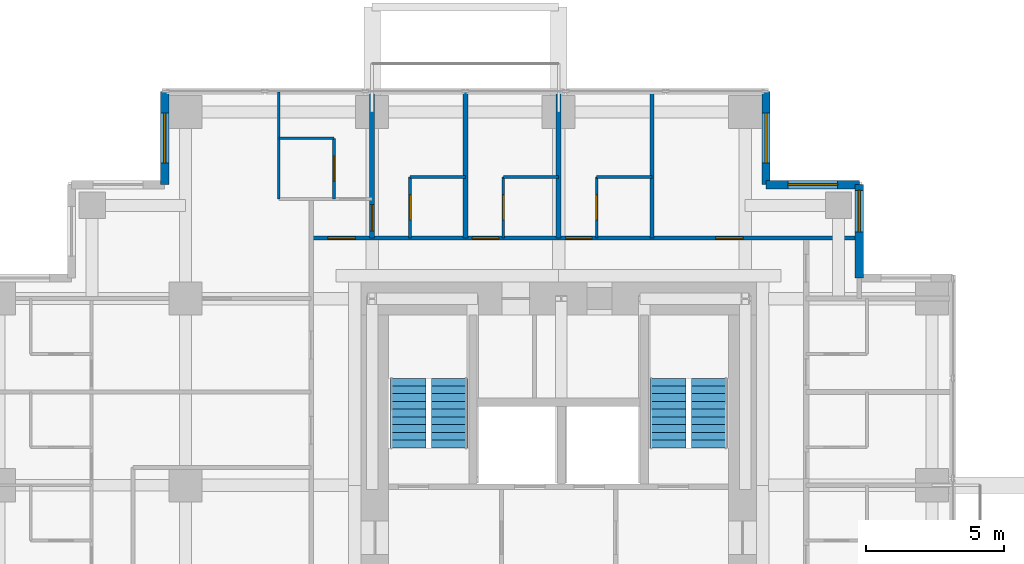
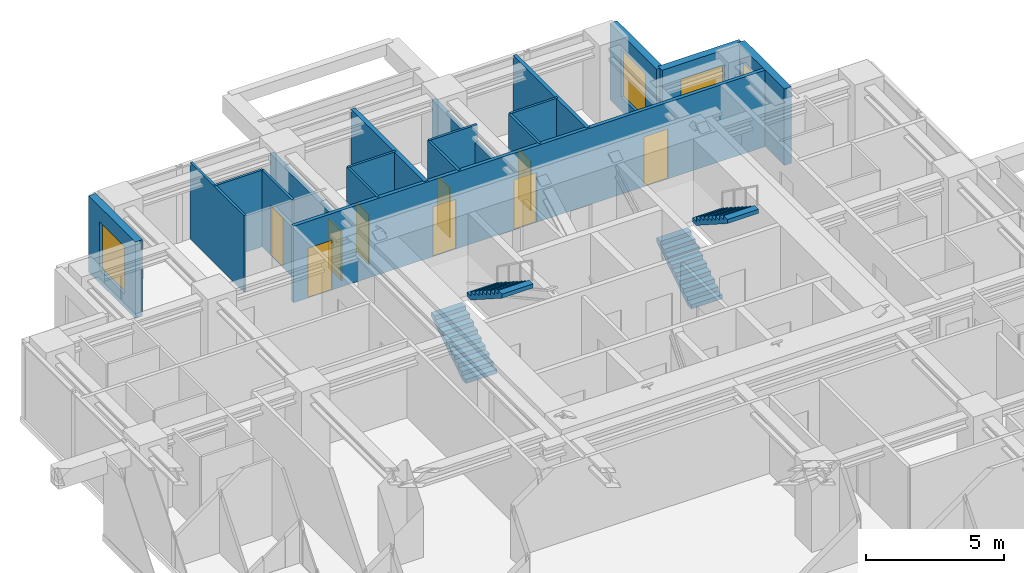
# One storey, part 9 of 10: 18 walls, 9 doors, 4 stair flights, 4 windows, 13 openings, 2 elements without a shape of their own.
"""IFC4 building model written with IfcOpenShell, lengths in metres."""

import ifcopenshell
import ifcopenshell.guid

model = None  # the IFC model being written
_history = None  # IfcOwnerHistory: only IFC2X3 demands one
_inside = {}  # id of a spatial element -> (the spatial element, [elements in it])
_under = {}  # id of a project, library or spatial element -> (it, [spatial elements below it])
_declared = {}  # id of a project -> (the project, [libraries it declares])
_typed = {}  # id of a type object -> (the type object, [elements of that type])
_made_of = {}  # id of a material, layer set ... -> (it, [elements and type objects made of it])


def new_model(schema):
    """Start an empty IFC model of exactly this schema.

    Asked for "IFC4X3", IfcOpenShell would pick the latest addendum, in which some entities
    have other attributes; the version numbers below select the first issue.
    IFC2X3 requires an IfcOwnerHistory on every rooted entity: one is made here for all.
    """
    global model, _history
    if schema == "IFC4X3":
        model = ifcopenshell.file(schema_version=(4, 3, 0, 0))
    else:
        model = ifcopenshell.file(schema=schema)
    _inside.clear()
    _under.clear()
    _declared.clear()
    _typed.clear()
    _made_of.clear()
    _history = None
    if model.schema == "IFC2X3":
        org = make("IfcOrganization", Name="unknown")
        user = make(
            "IfcPersonAndOrganization",
            ThePerson=make("IfcPerson", FamilyName="unknown"),
            TheOrganization=org,
        )
        app = make(
            "IfcApplication",
            ApplicationDeveloper=org,
            Version="unknown",
            ApplicationFullName="unknown",
            ApplicationIdentifier="unknown",
        )
        _history = make(
            "IfcOwnerHistory",
            OwningUser=user,
            OwningApplication=app,
            ChangeAction="ADDED",
            CreationDate=0,
        )
    return model


def make(cls, **values):
    """One entity of the class cls with the attributes given. An attribute that is None is left unset."""
    return model.create_entity(
        cls, **{name: value for name, value in values.items() if value is not None}
    )


def rooted(cls, **values):
    """An entity with a GlobalId (a new one), such as an element, a storey or a relation."""
    return make(cls, GlobalId=ifcopenshell.guid.new(), OwnerHistory=_history, **values)


def si_unit(unit_type, name, prefix=None):
    """IfcSIUnit, for example si_unit("LENGTHUNIT", "METRE", prefix="MILLI")."""
    return make("IfcSIUnit", UnitType=unit_type, Prefix=prefix, Name=name)


def assignment(units):
    """IfcUnitAssignment: the units of a project."""
    return None if units is None else make("IfcUnitAssignment", Units=units)


def point(xyz):
    """IfcCartesianPoint."""
    return None if xyz is None else make("IfcCartesianPoint", Coordinates=xyz)


def direction(xyz):
    """IfcDirection."""
    return None if xyz is None else make("IfcDirection", DirectionRatios=xyz)


def frame(location, z_axis=None, x_axis=None):
    """IfcAxis2Placement3D, a coordinate frame: its origin and axes. An axis left out is left unset."""
    return make(
        "IfcAxis2Placement3D",
        Location=point(location),
        Axis=direction(z_axis),
        RefDirection=direction(x_axis),
    )


def frame_2d(location, x_axis=None):
    """IfcAxis2Placement2D, a coordinate frame in the plane: its origin and x axis."""
    return make(
        "IfcAxis2Placement2D", Location=point(location), RefDirection=direction(x_axis)
    )


def origin():
    """The frame at (0, 0, 0) with its axes left unset."""
    return frame((0.0, 0.0, 0.0))


def place(relative_to, where):
    """IfcLocalPlacement: puts the frame where relative to a parent placement (None: the world)."""
    return make(
        "IfcLocalPlacement", PlacementRelTo=relative_to, RelativePlacement=where
    )


def context(
    kind, dimensions, precision=None, world=None, true_north=None, identifier=None
):
    """IfcGeometricRepresentationContext, for example the 3D "Model" context."""
    return make(
        "IfcGeometricRepresentationContext",
        ContextIdentifier=identifier,
        ContextType=kind,
        CoordinateSpaceDimension=dimensions,
        Precision=precision,
        WorldCoordinateSystem=world,
        TrueNorth=true_north,
    )


def subcontext(parent, identifier, kind, view, scale=None):
    """IfcGeometricRepresentationSubContext, for example "Body" below "Model"."""
    return make(
        "IfcGeometricRepresentationSubContext",
        ContextIdentifier=identifier,
        ContextType=kind,
        ParentContext=parent,
        TargetScale=scale,
        TargetView=view,
    )


def project(units=None, contexts=None):
    """IfcProject with its units and contexts."""
    return rooted(
        "IfcProject",
        Name="project",
        RepresentationContexts=contexts,
        UnitsInContext=assignment(units),
    )


def spatial(cls, under=None, at=None, **own):
    """A site, building, storey or space (cls), placed at a placement, below another one or the project."""
    s = rooted(cls, ObjectPlacement=at, **own)
    if under is not None:
        _under.setdefault(under.id(), (under, []))[1].append(s)
    return s


def polyline(points):
    """IfcPolyline through the points."""
    return make("IfcPolyline", Points=[point(p) for p in points])


def profile(cls, at=None, kind="AREA", **sizes):
    """A parametric profile (cls). Its sizes go by their IFC names, for example OverallWidth=200.0."""
    return make(cls, ProfileType=kind, Position=at, **sizes)


def rectangle(**sizes):
    """IfcRectangleProfileDef."""
    return profile("IfcRectangleProfileDef", **sizes)


def outline(outer, holes=None, kind="AREA"):
    """IfcArbitraryClosedProfileDef: a profile drawn as a closed curve; with holes, ...WithVoids."""
    if holes is None:
        return make("IfcArbitraryClosedProfileDef", ProfileType=kind, OuterCurve=outer)
    return make(
        "IfcArbitraryProfileDefWithVoids",
        ProfileType=kind,
        OuterCurve=outer,
        InnerCurves=holes,
    )


def extrude(swept, where, along, depth):
    """IfcExtrudedAreaSolid: the profile swept, set in the frame where, extruded along a direction by depth."""
    return make(
        "IfcExtrudedAreaSolid",
        SweptArea=swept,
        Position=where,
        ExtrudedDirection=direction(along),
        Depth=depth,
    )


def shape(context_of_items, identifier, shape_type, items):
    """IfcShapeRepresentation: the items that make up one representation, for example the "Body"."""
    return make(
        "IfcShapeRepresentation",
        ContextOfItems=context_of_items,
        RepresentationIdentifier=identifier,
        RepresentationType=shape_type,
        Items=items,
    )


def material(Name=None, Category=None):
    """IfcMaterial."""
    return make("IfcMaterial", Name=Name, Category=Category)


def layer(
    of_material, thickness, ventilated=None, Name=None, Category=None, Priority=None
):
    """IfcMaterialLayer: one layer of a wall or slab, of a material (None: an air gap)."""
    return make(
        "IfcMaterialLayer",
        Material=of_material,
        LayerThickness=thickness,
        IsVentilated=ventilated,
        Name=Name,
        Category=Category,
        Priority=Priority,
    )


def layer_set(layers, Name=None):
    """IfcMaterialLayerSet."""
    return make("IfcMaterialLayerSet", MaterialLayers=layers, LayerSetName=Name)


def made_of(thing, what):
    """Note that an element or type object is made of a material, layer set ...; save() writes the relation."""
    if what is not None:
        _made_of.setdefault(what.id(), (what, []))[1].append(thing)
    return thing


def type_object(cls, material=None, **own):
    """A type object (cls), such as IfcWallType, which elements share."""
    return made_of(rooted(cls, **own), material)


def element(
    cls,
    number,
    at=None,
    inside=None,
    cuts=None,
    type_object=None,
    material=None,
    context=None,
    identifier="Body",
    shape_type=None,
    held_by="IfcProductDefinitionShape",
    body=None,
    shapes=None,
    **own,
):
    """One element of the class cls, such as IfcWall. Its Tag is "e" and its number.

    at: its placement. inside: the storey or other place that contains it. cuts: it is an
    opening in that element (IfcRelVoidsElement). A single representation is given by context,
    identifier, shape_type and body (its items); several are given by shapes. held_by: the class
    of the entity that holds the representations. save() writes the other relations.
    """
    e = rooted(cls, Tag="e%d" % number, ObjectPlacement=at, **own)
    if body is not None:
        shapes = [shape(context, identifier, shape_type, body)]
    if shapes is not None:
        e.Representation = make(held_by, Representations=shapes)
    if inside is not None:
        _inside.setdefault(inside.id(), (inside, []))[1].append(e)
    if cuts is not None:
        rooted(
            "IfcRelVoidsElement", RelatingBuildingElement=cuts, RelatedOpeningElement=e
        )
    if type_object is not None:
        _typed.setdefault(type_object.id(), (type_object, []))[1].append(e)
    return made_of(e, material)


def fill(opening, filler):
    """IfcRelFillsElement: the door or window that sits in an opening."""
    return rooted(
        "IfcRelFillsElement",
        RelatingOpeningElement=opening,
        RelatedBuildingElement=filler,
    )


def aggregate(whole, parts):
    """IfcRelAggregates: a whole, such as a stair, and the parts it consists of."""
    return rooted("IfcRelAggregates", RelatingObject=whole, RelatedObjects=parts)


def save(model, path):
    """Write the relations noted so far, then the file.

    IfcRelAggregates (storeys below a building ...), IfcRelContainedInSpatialStructure (elements
    in a storey), IfcRelDefinesByType, IfcRelAssociatesMaterial and IfcRelDeclares: one each for
    every whole, place, type object, material and project.
    """
    for whole, parts in _under.values():
        aggregate(whole, parts)
    for where, things in _inside.values():
        rooted(
            "IfcRelContainedInSpatialStructure",
            RelatedElements=things,
            RelatingStructure=where,
        )
    for kind, things in _typed.values():
        rooted("IfcRelDefinesByType", RelatedObjects=things, RelatingType=kind)
    for what, things in _made_of.values():
        rooted("IfcRelAssociatesMaterial", RelatedObjects=things, RelatingMaterial=what)
    for by, libraries in _declared.values():
        rooted("IfcRelDeclares", RelatingContext=by, RelatedDefinitions=libraries)
    model.write(path)


model = new_model("IFC4")

# Units and contexts
model_context = context("Model", 3, precision=1e-05, world=origin(), true_north=direction((0.0, 1.0)))
body_context = subcontext(model_context, "Body", "Model", "MODEL_VIEW")
ifc_project = project(units=[si_unit("LENGTHUNIT", "METRE"), si_unit("AREAUNIT", "SQUARE_METRE"), si_unit("VOLUMEUNIT", "CUBIC_METRE"), si_unit("PLANEANGLEUNIT", "RADIAN"), si_unit("MASSUNIT", "GRAM", prefix="KILO")], contexts=[model_context])

# Site, building, storey
site_placement = place(None, origin())
site = spatial("IfcSite", under=ifc_project, at=site_placement, CompositionType="ELEMENT")
building_placement = place(site_placement, origin())
building = spatial("IfcBuilding", under=site, at=building_placement, Name="Nyansa Garden Tower", CompositionType="ELEMENT")
storey_placement = place(building_placement, frame((0.0, 0.0, 181.800048828125)))
storey = spatial("IfcBuildingStorey", under=building, at=storey_placement, Name="L49", CompositionType="ELEMENT", Elevation=181.800048828125)

# Wall, opening, door
ifc_material_1 = material(Name="Dense blockwork, plastered both sides, 55 dB", Category="masonry")
ifc_layer_1 = layer(ifc_material_1, 0.175048828125)
ifc_layer_set_1 = layer_set([ifc_layer_1], Name="Acoustic party wall PW175")
wall_type_1 = type_object("IfcWallType", Name="Acoustic party wall PW175", PredefinedType="PARTITIONING", material=ifc_layer_set_1)
wall_1_placement = place(storey_placement, frame((13.5, 29.199951171875, 0.0), z_axis=(0.0, 0.0, 1.0), x_axis=(0.0, 1.0, 0.0)))
wall_1 = element("IfcWall", 1, at=wall_1_placement, inside=storey, type_object=wall_type_1, Name="Party wall", PredefinedType="PARTITIONING", context=body_context, shape_type="SweptSolid", body=[
    extrude(rectangle(XDim=5.283935546875, YDim=0.175048828125, at=frame_2d((2.64208984375, 0.0))), origin(), (0.0, 0.0, 1.0), 2.60986328125),
])
opening_1_placement = place(wall_1_placement, frame((0.25, 0.0, 0.0)))
opening_1 = element("IfcOpeningElement", 2, at=opening_1_placement, cuts=wall_1, Name="Opening D14", PredefinedType="OPENING", context=body_context, shape_type="SweptSolid", body=[
    extrude(rectangle(XDim=0.949951171875, YDim=2.199951171875, at=frame_2d((0.47509765625, 1.10009765625))), frame((0.0, 0.097412109375, 0.0), z_axis=(0.0, -1.0, 0.0), x_axis=(1.0, 0.0, 0.0)), (0.0, 0.0, 1.0), 0.195068359375),
])
ifc_material_2 = material(Name="Timber flush door, 60 minute fire resisting, self-closing", Category="wood")
door_type_1 = type_object("IfcDoorType", Name="Studio entrance door D14 950x2200", OperationType="SINGLE_SWING_LEFT", PredefinedType="DOOR", material=ifc_material_2)
door_1_placement = place(opening_1_placement, origin())
door_1 = element("IfcDoor", 3, at=door_1_placement, inside=storey, type_object=door_type_1, Name="Door L49-042", OperationType="SINGLE_SWING_LEFT", OverallHeight=2.199951171875, OverallWidth=0.949951171875, PredefinedType="DOOR", context=body_context, shape_type="SweptSolid", body=[
    extrude(rectangle(XDim=0.949951171875, YDim=2.199951171875, at=frame_2d((0.47509765625, 1.10009765625))), frame((0.0, 0.02490234375, 0.0), z_axis=(0.0, -1.0, 0.0), x_axis=(1.0, 0.0, 0.0)), (0.0, 0.0, 1.0), 0.050048828125),
])
fill(opening_1, door_1)

# Walls
wall_2_placement = place(storey_placement, frame((16.875, 29.199951171875, 0.0), z_axis=(0.0, 0.0, 1.0), x_axis=(0.0, 1.0, 0.0)))
element("IfcWall", 4, at=wall_2_placement, inside=storey, type_object=wall_type_1, Name="Party wall", PredefinedType="PARTITIONING", context=body_context, shape_type="SweptSolid", body=[
    extrude(rectangle(XDim=5.283935546875, YDim=0.175048828125, at=frame_2d((2.64208984375, 0.0))), origin(), (0.0, 0.0, 1.0), 3.375),
])
wall_3_placement = place(storey_placement, frame((20.25, 29.199951171875, 0.0), z_axis=(0.0, 0.0, 1.0), x_axis=(0.0, 1.0, 0.0)))
element("IfcWall", 5, at=wall_3_placement, inside=storey, type_object=wall_type_1, Name="Party wall", PredefinedType="PARTITIONING", context=body_context, shape_type="SweptSolid", body=[
    extrude(rectangle(XDim=5.283935546875, YDim=0.175048828125, at=frame_2d((2.64208984375, 0.0))), origin(), (0.0, 0.0, 1.0), 2.60986328125),
])

# Wall, openings, doors
ifc_material_3 = material(Name="Blockwork, plastered both sides", Category="masonry")
ifc_layer_2 = layer(ifc_material_3, 0.14990234375)
ifc_layer_set_2 = layer_set([ifc_layer_2], Name="Partition PW150")
wall_type_2 = type_object("IfcWallType", Name="Partition PW150", PredefinedType="PARTITIONING", material=ifc_layer_set_2)
wall_4_placement = place(storey_placement, frame((11.300048828125, 29.199951171875, 0.0), z_axis=(0.0, 0.0, 1.0), x_axis=(1.0, 0.0, 0.0)))
wall_4 = element("IfcWall", 6, at=wall_4_placement, inside=storey, type_object=wall_type_2, Name="Partition", PredefinedType="PARTITIONING", context=body_context, shape_type="SweptSolid", body=[
    extrude(rectangle(XDim=19.808837890625, YDim=0.14990234375, at=frame_2d((9.904296875, 0.0))), origin(), (0.0, 0.0, 1.0), 3.375),
])
opening_2_placement = place(wall_4_placement, frame((14.625, 0.0, 0.0)))
opening_2 = element("IfcOpeningElement", 7, at=opening_2_placement, cuts=wall_4, Name="Opening D03", PredefinedType="OPENING", context=body_context, shape_type="SweptSolid", body=[
    extrude(rectangle(XDim=1.0, YDim=2.199951171875, at=frame_2d((0.5, 1.10009765625))), frame((0.0, 0.0849609375, 0.0), z_axis=(0.0, -1.0, 0.0), x_axis=(1.0, 0.0, 0.0)), (0.0, 0.0, 1.0), 0.169921875),
])
opening_3_placement = place(wall_4_placement, frame((5.824951171875, 0.0, 0.0)))
opening_3 = element("IfcOpeningElement", 8, at=opening_3_placement, cuts=wall_4, Name="Opening D14", PredefinedType="OPENING", context=body_context, shape_type="SweptSolid", body=[
    extrude(rectangle(XDim=0.949951171875, YDim=2.199951171875, at=frame_2d((0.47509765625, 1.10009765625))), frame((0.0, 0.0849609375, 0.0), z_axis=(0.0, -1.0, 0.0), x_axis=(1.0, 0.0, 0.0)), (0.0, 0.0, 1.0), 0.169921875),
])
opening_4_placement = place(wall_4_placement, frame((9.199951171875, 0.0, 0.0)))
opening_4 = element("IfcOpeningElement", 9, at=opening_4_placement, cuts=wall_4, Name="Opening D14", PredefinedType="OPENING", context=body_context, shape_type="SweptSolid", body=[
    extrude(rectangle(XDim=0.949951171875, YDim=2.199951171875, at=frame_2d((0.47509765625, 1.10009765625))), frame((0.0, 0.0849609375, 0.0), z_axis=(0.0, -1.0, 0.0), x_axis=(1.0, 0.0, 0.0)), (0.0, 0.0, 1.0), 0.169921875),
])
opening_5_placement = place(wall_4_placement, frame((0.60009765625, 0.0, 0.0)))
opening_5 = element("IfcOpeningElement", 10, at=opening_5_placement, cuts=wall_4, Name="Opening D03", PredefinedType="OPENING", context=body_context, shape_type="SweptSolid", body=[
    extrude(rectangle(XDim=1.0, YDim=2.199951171875, at=frame_2d((0.5, 1.10009765625))), frame((0.0, 0.0849609375, 0.0), z_axis=(0.0, -1.0, 0.0), x_axis=(1.0, 0.0, 0.0)), (0.0, 0.0, 1.0), 0.169921875),
])
ifc_material_4 = material(Name="Timber flush door, 60 minute fire resisting", Category="wood")
door_type_2 = type_object("IfcDoorType", Name="Cluster entrance door D03 1000x2200", OperationType="SINGLE_SWING_LEFT", PredefinedType="DOOR", material=ifc_material_4)
door_2_placement = place(opening_2_placement, origin())
door_2 = element("IfcDoor", 11, at=door_2_placement, inside=storey, type_object=door_type_2, Name="Door L49-039", OperationType="SINGLE_SWING_LEFT", OverallHeight=2.199951171875, OverallWidth=1.0, PredefinedType="DOOR", context=body_context, shape_type="SweptSolid", body=[
    extrude(rectangle(XDim=1.0, YDim=2.199951171875, at=frame_2d((0.5, 1.10009765625))), frame((0.0, 0.02490234375, 0.0), z_axis=(0.0, -1.0, 0.0), x_axis=(1.0, 0.0, 0.0)), (0.0, 0.0, 1.0), 0.050048828125),
])
fill(opening_2, door_2)
door_3_placement = place(opening_5_placement, origin())
door_3 = element("IfcDoor", 12, at=door_3_placement, inside=storey, type_object=door_type_2, Name="Door L49-048", OperationType="SINGLE_SWING_LEFT", OverallHeight=2.199951171875, OverallWidth=1.0, PredefinedType="DOOR", context=body_context, shape_type="SweptSolid", body=[
    extrude(rectangle(XDim=1.0, YDim=2.199951171875, at=frame_2d((0.5, 1.10009765625))), frame((0.0, 0.02490234375, 0.0), z_axis=(0.0, -1.0, 0.0), x_axis=(1.0, 0.0, 0.0)), (0.0, 0.0, 1.0), 0.050048828125),
])
fill(opening_5, door_3)
door_4_placement = place(opening_3_placement, origin())
door_4 = element("IfcDoor", 13, at=door_4_placement, inside=storey, type_object=door_type_1, Name="Door L49-044", OperationType="SINGLE_SWING_LEFT", OverallHeight=2.199951171875, OverallWidth=0.949951171875, PredefinedType="DOOR", context=body_context, shape_type="SweptSolid", body=[
    extrude(rectangle(XDim=0.949951171875, YDim=2.199951171875, at=frame_2d((0.47509765625, 1.10009765625))), frame((0.0, 0.02490234375, 0.0), z_axis=(0.0, -1.0, 0.0), x_axis=(1.0, 0.0, 0.0)), (0.0, 0.0, 1.0), 0.050048828125),
])
fill(opening_3, door_4)
door_5_placement = place(opening_4_placement, origin())
door_5 = element("IfcDoor", 14, at=door_5_placement, inside=storey, type_object=door_type_1, Name="Door L49-046", OperationType="SINGLE_SWING_LEFT", OverallHeight=2.199951171875, OverallWidth=0.949951171875, PredefinedType="DOOR", context=body_context, shape_type="SweptSolid", body=[
    extrude(rectangle(XDim=0.949951171875, YDim=2.199951171875, at=frame_2d((0.47509765625, 1.10009765625))), frame((0.0, 0.02490234375, 0.0), z_axis=(0.0, -1.0, 0.0), x_axis=(1.0, 0.0, 0.0)), (0.0, 0.0, 1.0), 0.050048828125),
])
fill(opening_4, door_5)

# Wall
wall_5_placement = place(storey_placement, frame((23.625, 29.199951171875, 0.0), z_axis=(0.0, 0.0, 1.0), x_axis=(0.0, 1.0, 0.0)))
element("IfcWall", 15, at=wall_5_placement, inside=storey, type_object=wall_type_2, Name="Partition", PredefinedType="PARTITIONING", context=body_context, shape_type="SweptSolid", body=[
    extrude(rectangle(XDim=5.283935546875, YDim=0.14990234375, at=frame_2d((2.64208984375, 0.0))), origin(), (0.0, 0.0, 1.0), 3.375),
])

# Wall, opening, window
ifc_material_5 = material(Name="Turquoise glazed tile on concrete blockwork", Category="masonry")
ifc_layer_3 = layer(ifc_material_5, 0.300048828125)
ifc_layer_set_3 = layer_set([ifc_layer_3], Name="Tiled corner wall TW300")
wall_type_3 = type_object("IfcWallType", Name="Tiled corner wall TW300", PredefinedType="SOLIDWALL", material=ifc_layer_set_3)
wall_6_placement = place(storey_placement, frame((31.125, 27.75, 0.0), z_axis=(0.0, 0.0, 1.0), x_axis=(0.0, 1.0, 0.0)))
wall_6 = element("IfcWall", 16, at=wall_6_placement, inside=storey, type_object=wall_type_3, Name="Tiled corner wall L49", PredefinedType="SOLIDWALL", context=body_context, shape_type="SweptSolid", body=[
    extrude(rectangle(XDim=3.375, YDim=0.300048828125, at=frame_2d((1.6875, 0.0))), origin(), (0.0, 0.0, 1.0), 3.375),
])
opening_6_placement = place(wall_6_placement, frame((1.66259765625, 0.0, 0.89990234375)))
opening_6 = element("IfcOpeningElement", 17, at=opening_6_placement, cuts=wall_6, Name="Opening W1", PredefinedType="OPENING", context=body_context, shape_type="SweptSolid", body=[
    extrude(rectangle(XDim=1.5, YDim=1.800048828125, at=frame_2d((0.75, 0.89990234375))), frame((0.0, 0.159912109375, 0.0), z_axis=(0.0, -1.0, 0.0), x_axis=(1.0, 0.0, 0.0)), (0.0, 0.0, 1.0), 0.320068359375),
])
ifc_material_6 = material(Name="Black aluminium frame, dark tinted double glazing", Category="aluminium")
window_type_1 = type_object("IfcWindowType", Name="Window W1 1500x1800", PartitioningType="SINGLE_PANEL", PredefinedType="WINDOW", material=ifc_material_6)
window_1_placement = place(opening_6_placement, origin())
window_1 = element("IfcWindow", 18, at=window_1_placement, inside=storey, type_object=window_type_1, Name="Corner window L49", OverallHeight=1.800048828125, OverallWidth=1.5, PartitioningType="SINGLE_PANEL", PredefinedType="WINDOW", context=body_context, shape_type="SweptSolid", body=[
    extrude(rectangle(XDim=1.5, YDim=1.800048828125, at=frame_2d((0.75, 0.89990234375))), frame((0.0, 0.030029296875, 0.0), z_axis=(0.0, -1.0, 0.0), x_axis=(1.0, 0.0, 0.0)), (0.0, 0.0, 1.0), 0.06005859375),
])
fill(opening_6, window_1)

wall_7_placement = place(storey_placement, frame((31.125, 31.125, 0.0), z_axis=(0.0, 0.0, 1.0), x_axis=(-1.0, 0.0, 0.0)))
wall_7 = element("IfcWall", 19, at=wall_7_placement, inside=storey, type_object=wall_type_3, Name="Tiled corner wall L49", PredefinedType="SOLIDWALL", context=body_context, shape_type="SweptSolid", body=[
    extrude(rectangle(XDim=3.375, YDim=0.300048828125, at=frame_2d((1.6875, 0.0))), origin(), (0.0, 0.0, 1.0), 3.375),
])
opening_7_placement = place(wall_7_placement, frame((0.78759765625, 0.0, 0.60009765625)))
opening_7 = element("IfcOpeningElement", 20, at=opening_7_placement, cuts=wall_7, Name="Opening W2", PredefinedType="OPENING", context=body_context, shape_type="SweptSolid", body=[
    extrude(rectangle(XDim=1.800048828125, YDim=2.10009765625, at=frame_2d((0.89990234375, 1.050048828125))), frame((0.0, 0.159912109375, 0.0), z_axis=(0.0, -1.0, 0.0), x_axis=(1.0, 0.0, 0.0)), (0.0, 0.0, 1.0), 0.320068359375),
])
ifc_material_7 = material(Name="Black aluminium frame, dark tinted double glazing", Category="aluminium")
window_type_2 = type_object("IfcWindowType", Name="Window W2 1800x2100", PartitioningType="SINGLE_PANEL", PredefinedType="WINDOW", material=ifc_material_7)
window_2_placement = place(opening_7_placement, origin())
window_2 = element("IfcWindow", 21, at=window_2_placement, inside=storey, type_object=window_type_2, Name="Corner window L49", OverallHeight=2.10009765625, OverallWidth=1.800048828125, PartitioningType="SINGLE_PANEL", PredefinedType="WINDOW", context=body_context, shape_type="SweptSolid", body=[
    extrude(rectangle(XDim=1.800048828125, YDim=2.10009765625, at=frame_2d((0.89990234375, 1.050048828125))), frame((0.0, 0.030029296875, 0.0), z_axis=(0.0, -1.0, 0.0), x_axis=(1.0, 0.0, 0.0)), (0.0, 0.0, 1.0), 0.06005859375),
])
fill(opening_7, window_2)

wall_8_placement = place(storey_placement, frame((27.75, 31.125, 0.0), z_axis=(0.0, 0.0, 1.0), x_axis=(0.0, 1.0, 0.0)))
wall_8 = element("IfcWall", 22, at=wall_8_placement, inside=storey, type_object=wall_type_3, Name="Tiled corner wall L49", PredefinedType="SOLIDWALL", context=body_context, shape_type="SweptSolid", body=[
    extrude(rectangle(XDim=3.375, YDim=0.300048828125, at=frame_2d((1.6875, 0.0))), origin(), (0.0, 0.0, 1.0), 3.375),
])
opening_8_placement = place(wall_8_placement, frame((0.78759765625, 0.0, 0.60009765625)))
opening_8 = element("IfcOpeningElement", 23, at=opening_8_placement, cuts=wall_8, Name="Opening W2", PredefinedType="OPENING", context=body_context, shape_type="SweptSolid", body=[
    extrude(rectangle(XDim=1.800048828125, YDim=2.10009765625, at=frame_2d((0.89990234375, 1.050048828125))), frame((0.0, 0.159912109375, 0.0), z_axis=(0.0, -1.0, 0.0), x_axis=(1.0, 0.0, 0.0)), (0.0, 0.0, 1.0), 0.320068359375),
])
window_3_placement = place(opening_8_placement, origin())
window_3 = element("IfcWindow", 24, at=window_3_placement, inside=storey, type_object=window_type_2, Name="Corner window L49", OverallHeight=2.10009765625, OverallWidth=1.800048828125, PartitioningType="SINGLE_PANEL", PredefinedType="WINDOW", context=body_context, shape_type="SweptSolid", body=[
    extrude(rectangle(XDim=1.800048828125, YDim=2.10009765625, at=frame_2d((0.89990234375, 1.050048828125))), frame((0.0, 0.030029296875, 0.0), z_axis=(0.0, -1.0, 0.0), x_axis=(1.0, 0.0, 0.0)), (0.0, 0.0, 1.0), 0.06005859375),
])
fill(opening_8, window_3)

wall_9_placement = place(storey_placement, frame((6.0, 34.5, 0.0), z_axis=(0.0, 0.0, 1.0), x_axis=(0.0, -1.0, 0.0)))
wall_9 = element("IfcWall", 25, at=wall_9_placement, inside=storey, type_object=wall_type_3, Name="Tiled corner wall L49", PredefinedType="SOLIDWALL", context=body_context, shape_type="SweptSolid", body=[
    extrude(rectangle(XDim=3.375, YDim=0.300048828125, at=frame_2d((1.6875, 0.0))), origin(), (0.0, 0.0, 1.0), 3.375),
])
opening_9_placement = place(wall_9_placement, frame((0.78759765625, 0.0, 0.60009765625)))
opening_9 = element("IfcOpeningElement", 26, at=opening_9_placement, cuts=wall_9, Name="Opening W2", PredefinedType="OPENING", context=body_context, shape_type="SweptSolid", body=[
    extrude(rectangle(XDim=1.800048828125, YDim=2.10009765625, at=frame_2d((0.89990234375, 1.050048828125))), frame((0.0, 0.159912109375, 0.0), z_axis=(0.0, -1.0, 0.0), x_axis=(1.0, 0.0, 0.0)), (0.0, 0.0, 1.0), 0.320068359375),
])
window_4_placement = place(opening_9_placement, origin())
window_4 = element("IfcWindow", 27, at=window_4_placement, inside=storey, type_object=window_type_2, Name="Corner window L49", OverallHeight=2.10009765625, OverallWidth=1.800048828125, PartitioningType="SINGLE_PANEL", PredefinedType="WINDOW", context=body_context, shape_type="SweptSolid", body=[
    extrude(rectangle(XDim=1.800048828125, YDim=2.10009765625, at=frame_2d((0.89990234375, 1.050048828125))), frame((0.0, 0.030029296875, 0.0), z_axis=(0.0, -1.0, 0.0), x_axis=(1.0, 0.0, 0.0)), (0.0, 0.0, 1.0), 0.06005859375),
])
fill(opening_9, window_4)

# Walls
ifc_material_8 = material(Name="Moisture resistant board on steel studs, tiled", Category="steel")
ifc_layer_4 = layer(ifc_material_8, 0.10009765625)
ifc_layer_set_4 = layer_set([ifc_layer_4], Name="Wet wall PW100")
wall_type_4 = type_object("IfcWallType", Name="Wet wall PW100", PredefinedType="PARTITIONING", material=ifc_layer_set_4)
wall_10_placement = place(storey_placement, frame((10.125, 30.60009765625, 0.0), z_axis=(0.0, 0.0, 1.0), x_axis=(0.0, 1.0, 0.0)))
element("IfcWall", 28, at=wall_10_placement, inside=storey, type_object=wall_type_4, Name="Wet wall", PredefinedType="PARTITIONING", context=body_context, shape_type="SweptSolid", body=[
    extrude(rectangle(XDim=3.8837890625, YDim=0.10009765625, at=frame_2d((1.94189453125, 0.0))), origin(), (0.0, 0.0, 1.0), 3.375),
])
wall_11_placement = place(storey_placement, frame((10.125, 32.800048828125, 0.0), z_axis=(0.0, 0.0, 1.0), x_axis=(1.0, 0.0, 0.0)))
element("IfcWall", 29, at=wall_11_placement, inside=storey, type_object=wall_type_4, Name="Wet wall", PredefinedType="PARTITIONING", context=body_context, shape_type="SweptSolid", body=[
    extrude(rectangle(XDim=2.0, YDim=0.10009765625, at=frame_2d((1.0, 0.0))), origin(), (0.0, 0.0, 1.0), 3.375),
])

# Wall, opening, door
wall_12_placement = place(storey_placement, frame((12.125, 30.60009765625, 0.0), z_axis=(0.0, 0.0, 1.0), x_axis=(0.0, 1.0, 0.0)))
wall_12 = element("IfcWall", 30, at=wall_12_placement, inside=storey, type_object=wall_type_4, Name="Wet wall", PredefinedType="PARTITIONING", context=body_context, shape_type="SweptSolid", body=[
    extrude(rectangle(XDim=2.199951171875, YDim=0.10009765625, at=frame_2d((1.10009765625, 0.0))), origin(), (0.0, 0.0, 1.0), 3.375),
])
opening_10_placement = place(wall_12_placement, frame((0.64990234375, 0.0, 0.0)))
opening_10 = element("IfcOpeningElement", 31, at=opening_10_placement, cuts=wall_12, Name="Opening D02", PredefinedType="OPENING", context=body_context, shape_type="SweptSolid", body=[
    extrude(rectangle(XDim=0.89990234375, YDim=2.199951171875, at=frame_2d((0.449951171875, 1.10009765625))), frame((0.0, 0.06005859375, 0.0), z_axis=(0.0, -1.0, 0.0), x_axis=(1.0, 0.0, 0.0)), (0.0, 0.0, 1.0), 0.1201171875),
])
ifc_material_9 = material(Name="Timber flush door", Category="wood")
door_type_3 = type_object("IfcDoorType", Name="En-suite door D02 900x2200", OperationType="SINGLE_SWING_RIGHT", PredefinedType="DOOR", material=ifc_material_9)
door_6_placement = place(opening_10_placement, origin())
door_6 = element("IfcDoor", 32, at=door_6_placement, inside=storey, type_object=door_type_3, Name="Door L49-041", OperationType="SINGLE_SWING_RIGHT", OverallHeight=2.199951171875, OverallWidth=0.89990234375, PredefinedType="DOOR", context=body_context, shape_type="SweptSolid", body=[
    extrude(rectangle(XDim=0.89990234375, YDim=2.199951171875, at=frame_2d((0.449951171875, 1.10009765625))), frame((0.0, 0.02490234375, 0.0), z_axis=(0.0, -1.0, 0.0), x_axis=(1.0, 0.0, 0.0)), (0.0, 0.0, 1.0), 0.050048828125),
])
fill(opening_10, door_6)

wall_13_placement = place(storey_placement, frame((14.875, 29.199951171875, 0.0), z_axis=(0.0, 0.0, 1.0), x_axis=(0.0, 1.0, 0.0)))
wall_13 = element("IfcWall", 33, at=wall_13_placement, inside=storey, type_object=wall_type_4, Name="Wet wall", PredefinedType="PARTITIONING", context=body_context, shape_type="SweptSolid", body=[
    extrude(rectangle(XDim=2.199951171875, YDim=0.10009765625, at=frame_2d((1.10009765625, 0.0))), origin(), (0.0, 0.0, 1.0), 3.375),
])
opening_11_placement = place(wall_13_placement, frame((0.64990234375, 0.0, 0.0)))
opening_11 = element("IfcOpeningElement", 34, at=opening_11_placement, cuts=wall_13, Name="Opening D02", PredefinedType="OPENING", context=body_context, shape_type="SweptSolid", body=[
    extrude(rectangle(XDim=0.89990234375, YDim=2.199951171875, at=frame_2d((0.449951171875, 1.10009765625))), frame((0.0, 0.06005859375, 0.0), z_axis=(0.0, -1.0, 0.0), x_axis=(1.0, 0.0, 0.0)), (0.0, 0.0, 1.0), 0.1201171875),
])
door_7_placement = place(opening_11_placement, origin())
door_7 = element("IfcDoor", 35, at=door_7_placement, inside=storey, type_object=door_type_3, Name="Door L49-043", OperationType="SINGLE_SWING_RIGHT", OverallHeight=2.199951171875, OverallWidth=0.89990234375, PredefinedType="DOOR", context=body_context, shape_type="SweptSolid", body=[
    extrude(rectangle(XDim=0.89990234375, YDim=2.199951171875, at=frame_2d((0.449951171875, 1.10009765625))), frame((0.0, 0.02490234375, 0.0), z_axis=(0.0, -1.0, 0.0), x_axis=(1.0, 0.0, 0.0)), (0.0, 0.0, 1.0), 0.050048828125),
])
fill(opening_11, door_7)

# Wall
wall_14_placement = place(storey_placement, frame((14.875, 31.39990234375, 0.0), z_axis=(0.0, 0.0, 1.0), x_axis=(1.0, 0.0, 0.0)))
element("IfcWall", 36, at=wall_14_placement, inside=storey, type_object=wall_type_4, Name="Wet wall", PredefinedType="PARTITIONING", context=body_context, shape_type="SweptSolid", body=[
    extrude(rectangle(XDim=2.0, YDim=0.10009765625, at=frame_2d((1.0, 0.0))), origin(), (0.0, 0.0, 1.0), 3.375),
])

# Wall, opening, door
wall_15_placement = place(storey_placement, frame((18.25, 29.199951171875, 0.0), z_axis=(0.0, 0.0, 1.0), x_axis=(0.0, 1.0, 0.0)))
wall_15 = element("IfcWall", 37, at=wall_15_placement, inside=storey, type_object=wall_type_4, Name="Wet wall", PredefinedType="PARTITIONING", context=body_context, shape_type="SweptSolid", body=[
    extrude(rectangle(XDim=2.199951171875, YDim=0.10009765625, at=frame_2d((1.10009765625, 0.0))), origin(), (0.0, 0.0, 1.0), 3.375),
])
opening_12_placement = place(wall_15_placement, frame((0.64990234375, 0.0, 0.0)))
opening_12 = element("IfcOpeningElement", 38, at=opening_12_placement, cuts=wall_15, Name="Opening D02", PredefinedType="OPENING", context=body_context, shape_type="SweptSolid", body=[
    extrude(rectangle(XDim=0.89990234375, YDim=2.199951171875, at=frame_2d((0.449951171875, 1.10009765625))), frame((0.0, 0.06005859375, 0.0), z_axis=(0.0, -1.0, 0.0), x_axis=(1.0, 0.0, 0.0)), (0.0, 0.0, 1.0), 0.1201171875),
])
door_8_placement = place(opening_12_placement, origin())
door_8 = element("IfcDoor", 39, at=door_8_placement, inside=storey, type_object=door_type_3, Name="Door L49-045", OperationType="SINGLE_SWING_RIGHT", OverallHeight=2.199951171875, OverallWidth=0.89990234375, PredefinedType="DOOR", context=body_context, shape_type="SweptSolid", body=[
    extrude(rectangle(XDim=0.89990234375, YDim=2.199951171875, at=frame_2d((0.449951171875, 1.10009765625))), frame((0.0, 0.02490234375, 0.0), z_axis=(0.0, -1.0, 0.0), x_axis=(1.0, 0.0, 0.0)), (0.0, 0.0, 1.0), 0.050048828125),
])
fill(opening_12, door_8)

# Wall
wall_16_placement = place(storey_placement, frame((18.25, 31.39990234375, 0.0), z_axis=(0.0, 0.0, 1.0), x_axis=(1.0, 0.0, 0.0)))
element("IfcWall", 40, at=wall_16_placement, inside=storey, type_object=wall_type_4, Name="Wet wall", PredefinedType="PARTITIONING", context=body_context, shape_type="SweptSolid", body=[
    extrude(rectangle(XDim=2.0, YDim=0.10009765625, at=frame_2d((1.0, 0.0))), origin(), (0.0, 0.0, 1.0), 3.375),
])

# Wall, opening, door
wall_17_placement = place(storey_placement, frame((21.625, 29.199951171875, 0.0), z_axis=(0.0, 0.0, 1.0), x_axis=(0.0, 1.0, 0.0)))
wall_17 = element("IfcWall", 41, at=wall_17_placement, inside=storey, type_object=wall_type_4, Name="Wet wall", PredefinedType="PARTITIONING", context=body_context, shape_type="SweptSolid", body=[
    extrude(rectangle(XDim=2.199951171875, YDim=0.10009765625, at=frame_2d((1.10009765625, 0.0))), origin(), (0.0, 0.0, 1.0), 3.375),
])
opening_13_placement = place(wall_17_placement, frame((0.64990234375, 0.0, 0.0)))
opening_13 = element("IfcOpeningElement", 42, at=opening_13_placement, cuts=wall_17, Name="Opening D02", PredefinedType="OPENING", context=body_context, shape_type="SweptSolid", body=[
    extrude(rectangle(XDim=0.89990234375, YDim=2.199951171875, at=frame_2d((0.449951171875, 1.10009765625))), frame((0.0, 0.06005859375, 0.0), z_axis=(0.0, -1.0, 0.0), x_axis=(1.0, 0.0, 0.0)), (0.0, 0.0, 1.0), 0.1201171875),
])
door_9_placement = place(opening_13_placement, origin())
door_9 = element("IfcDoor", 43, at=door_9_placement, inside=storey, type_object=door_type_3, Name="Door L49-047", OperationType="SINGLE_SWING_RIGHT", OverallHeight=2.199951171875, OverallWidth=0.89990234375, PredefinedType="DOOR", context=body_context, shape_type="SweptSolid", body=[
    extrude(rectangle(XDim=0.89990234375, YDim=2.199951171875, at=frame_2d((0.449951171875, 1.10009765625))), frame((0.0, 0.02490234375, 0.0), z_axis=(0.0, -1.0, 0.0), x_axis=(1.0, 0.0, 0.0)), (0.0, 0.0, 1.0), 0.050048828125),
])
fill(opening_13, door_9)

# Wall
wall_18_placement = place(storey_placement, frame((21.625, 31.39990234375, 0.0), z_axis=(0.0, 0.0, 1.0), x_axis=(1.0, 0.0, 0.0)))
element("IfcWall", 44, at=wall_18_placement, inside=storey, type_object=wall_type_4, Name="Wet wall", PredefinedType="PARTITIONING", context=body_context, shape_type="SweptSolid", body=[
    extrude(rectangle(XDim=2.0, YDim=0.10009765625, at=frame_2d((1.0, 0.0))), origin(), (0.0, 0.0, 1.0), 3.375),
])

# Stair, stair flights
ifc_material_10 = material(Name="Precast concrete C40/50", Category="concrete")
stair_type_1 = type_object("IfcStairType", Name="Stair S1 180x280", PredefinedType="HALF_TURN_STAIR", material=ifc_material_10)
stair_1_placement = place(storey_placement, origin())
stair_1 = element("IfcStair", 45, at=stair_1_placement, inside=storey, type_object=stair_type_1, Name="Stair S1 L49", PredefinedType="HALF_TURN_STAIR")
ifc_material_11 = material(Name="Precast concrete C40/50", Category="concrete")
stair_flight_type_1 = type_object("IfcStairFlightType", Name="Stair flight S1 180x280x10", PredefinedType="STRAIGHT", material=ifc_material_11)
stair_flight_1_placement = place(storey_placement, frame((14.800048828125, 21.60009765625, 0.0), z_axis=(0.0, 0.0, 1.0), x_axis=(0.0, 1.0, 0.0)))
stair_flight_1 = element("IfcStairFlight", 46, at=stair_flight_1_placement, type_object=stair_flight_type_1, Name="S1 flight 1", NumberOfRisers=10, NumberOfTreads=9, PredefinedType="STRAIGHT", RiserHeight=0.18, TreadLength=0.28, context=body_context, shape_type="SweptSolid", body=[
    extrude(outline(polyline([(0.0, 0.0), (0.0, 0.179931640625), (0.280029296875, 0.179931640625), (0.280029296875, 0.360107421875), (0.56005859375, 0.360107421875), (0.56005859375, 0.5400390625), (0.840087890625, 0.5400390625), (0.840087890625, 0.719970703125), (1.1201171875, 0.719970703125), (1.1201171875, 0.89990234375), (1.39990234375, 0.89990234375), (1.39990234375, 1.080078125), (1.679931640625, 1.080078125), (1.679931640625, 1.260009765625), (1.9599609375, 1.260009765625), (1.9599609375, 1.43994140625), (2.239990234375, 1.43994140625), (2.239990234375, 1.6201171875), (2.52001953125, 1.6201171875), (2.52001953125, 1.800048828125), (2.52001953125, 1.44189453125), (0.277099609375, 0.0), (0.0, 0.0)])), frame((0.0, 0.64990234375, 0.0), z_axis=(0.0, -1.0, 0.0), x_axis=(1.0, 0.0, 0.0)), (0.0, 0.0, 1.0), 1.300048828125),
])
stair_flight_2_placement = place(storey_placement, frame((16.300048828125, 24.1201171875, 1.800048828125), z_axis=(0.0, 0.0, 1.0), x_axis=(0.0, -1.0, 0.0)))
stair_flight_2 = element("IfcStairFlight", 47, at=stair_flight_2_placement, type_object=stair_flight_type_1, Name="S1 flight 2", NumberOfRisers=10, NumberOfTreads=9, PredefinedType="STRAIGHT", RiserHeight=0.18, TreadLength=0.28, context=body_context, shape_type="SweptSolid", body=[
    extrude(outline(polyline([(0.0, 0.0), (0.0, 0.179931640625), (0.280029296875, 0.179931640625), (0.280029296875, 0.360107421875), (0.56005859375, 0.360107421875), (0.56005859375, 0.5400390625), (0.840087890625, 0.5400390625), (0.840087890625, 0.719970703125), (1.1201171875, 0.719970703125), (1.1201171875, 0.89990234375), (1.39990234375, 0.89990234375), (1.39990234375, 1.080078125), (1.679931640625, 1.080078125), (1.679931640625, 1.260009765625), (1.9599609375, 1.260009765625), (1.9599609375, 1.43994140625), (2.239990234375, 1.43994140625), (2.239990234375, 1.6201171875), (2.52001953125, 1.6201171875), (2.52001953125, 1.800048828125), (2.52001953125, 1.44189453125), (0.277099609375, 0.0), (0.0, 0.0)])), frame((0.0, 0.64990234375, 0.0), z_axis=(0.0, -1.0, 0.0), x_axis=(1.0, 0.0, 0.0)), (0.0, 0.0, 1.0), 1.300048828125),
])
aggregate(stair_1, [stair_flight_1, stair_flight_2])

ifc_material_12 = material(Name="Precast concrete C40/50", Category="concrete")
stair_type_2 = type_object("IfcStairType", Name="Stair S2 180x280", PredefinedType="HALF_TURN_STAIR", material=ifc_material_12)
stair_2_placement = place(storey_placement, origin())
stair_2 = element("IfcStair", 48, at=stair_2_placement, inside=storey, type_object=stair_type_2, Name="Stair S2 L49", PredefinedType="HALF_TURN_STAIR")
ifc_material_13 = material(Name="Precast concrete C40/50", Category="concrete")
stair_flight_type_2 = type_object("IfcStairFlightType", Name="Stair flight S2 180x280x10", PredefinedType="STRAIGHT", material=ifc_material_13)
stair_flight_3_placement = place(storey_placement, frame((24.199951171875, 21.60009765625, 0.0), z_axis=(0.0, 0.0, 1.0), x_axis=(0.0, 1.0, 0.0)))
stair_flight_3 = element("IfcStairFlight", 49, at=stair_flight_3_placement, type_object=stair_flight_type_2, Name="S2 flight 1", NumberOfRisers=10, NumberOfTreads=9, PredefinedType="STRAIGHT", RiserHeight=0.18, TreadLength=0.28, context=body_context, shape_type="SweptSolid", body=[
    extrude(outline(polyline([(0.0, 0.0), (0.0, 0.179931640625), (0.280029296875, 0.179931640625), (0.280029296875, 0.360107421875), (0.56005859375, 0.360107421875), (0.56005859375, 0.5400390625), (0.840087890625, 0.5400390625), (0.840087890625, 0.719970703125), (1.1201171875, 0.719970703125), (1.1201171875, 0.89990234375), (1.39990234375, 0.89990234375), (1.39990234375, 1.080078125), (1.679931640625, 1.080078125), (1.679931640625, 1.260009765625), (1.9599609375, 1.260009765625), (1.9599609375, 1.43994140625), (2.239990234375, 1.43994140625), (2.239990234375, 1.6201171875), (2.52001953125, 1.6201171875), (2.52001953125, 1.800048828125), (2.52001953125, 1.44189453125), (0.277099609375, 0.0), (0.0, 0.0)])), frame((0.0, 0.64990234375, 0.0), z_axis=(0.0, -1.0, 0.0), x_axis=(1.0, 0.0, 0.0)), (0.0, 0.0, 1.0), 1.300048828125),
])
stair_flight_4_placement = place(storey_placement, frame((25.699951171875, 24.1201171875, 1.800048828125), z_axis=(0.0, 0.0, 1.0), x_axis=(0.0, -1.0, 0.0)))
stair_flight_4 = element("IfcStairFlight", 50, at=stair_flight_4_placement, type_object=stair_flight_type_2, Name="S2 flight 2", NumberOfRisers=10, NumberOfTreads=9, PredefinedType="STRAIGHT", RiserHeight=0.18, TreadLength=0.28, context=body_context, shape_type="SweptSolid", body=[
    extrude(outline(polyline([(0.0, 0.0), (0.0, 0.179931640625), (0.280029296875, 0.179931640625), (0.280029296875, 0.360107421875), (0.56005859375, 0.360107421875), (0.56005859375, 0.5400390625), (0.840087890625, 0.5400390625), (0.840087890625, 0.719970703125), (1.1201171875, 0.719970703125), (1.1201171875, 0.89990234375), (1.39990234375, 0.89990234375), (1.39990234375, 1.080078125), (1.679931640625, 1.080078125), (1.679931640625, 1.260009765625), (1.9599609375, 1.260009765625), (1.9599609375, 1.43994140625), (2.239990234375, 1.43994140625), (2.239990234375, 1.6201171875), (2.52001953125, 1.6201171875), (2.52001953125, 1.800048828125), (2.52001953125, 1.44189453125), (0.277099609375, 0.0), (0.0, 0.0)])), frame((0.0, 0.64990234375, 0.0), z_axis=(0.0, -1.0, 0.0), x_axis=(1.0, 0.0, 0.0)), (0.0, 0.0, 1.0), 1.300048828125),
])
aggregate(stair_2, [stair_flight_3, stair_flight_4])

save(model, "model.ifc")
